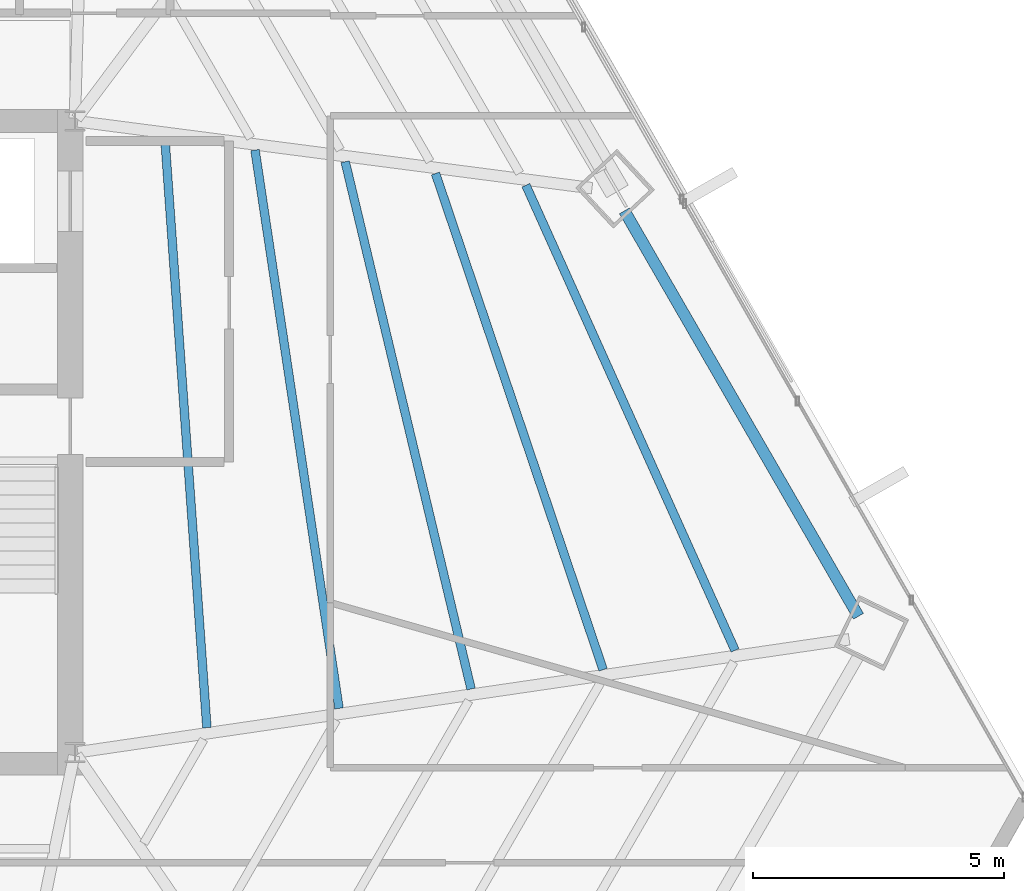
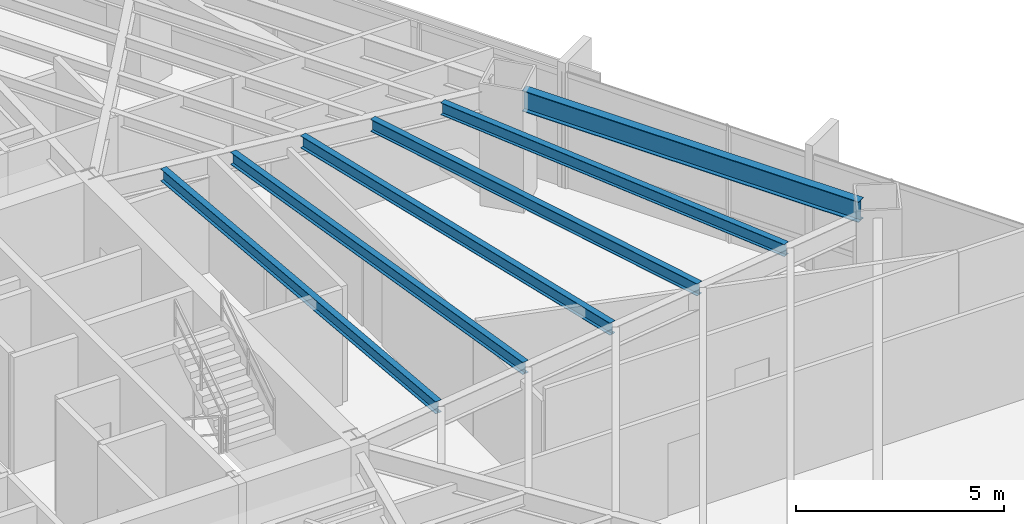
# One storey, part 20 of 36: 6 beams.
"""IFC4 building model written with IfcOpenShell, lengths in metres."""

from ifc_helpers import new_model, si_unit, direction, frame, origin, origin_2d, place, context, subcontext, project, spatial, i_section, extrude, source, transform, mapped, material, material_profile, profile_set, type_object, type_shapes, element, save


model = new_model("IFC4")

# Units and contexts
model_context = context("Model", 3, precision=1e-05, world=origin(), true_north=direction((0.0, 1.0)))
body_context = subcontext(model_context, "Body", "Model", "MODEL_VIEW")
ifc_project = project(units=[si_unit("LENGTHUNIT", "METRE"), si_unit("AREAUNIT", "SQUARE_METRE"), si_unit("VOLUMEUNIT", "CUBIC_METRE"), si_unit("PLANEANGLEUNIT", "RADIAN"), si_unit("MASSUNIT", "GRAM", prefix="KILO")], contexts=[model_context])

# Site, building, storey
site_placement = place(None, origin())
site = spatial("IfcSite", under=ifc_project, at=site_placement, CompositionType="ELEMENT")
building_placement = place(site_placement, origin())
building = spatial("IfcBuilding", under=site, at=building_placement, Name="Caelisora Broadcast Tower", CompositionType="ELEMENT")
storey_placement = place(building_placement, frame((0.0, 0.0, 79.85009765625)))
storey = spatial("IfcBuildingStorey", under=building, at=storey_placement, Name="L20", CompositionType="ELEMENT", Elevation=79.85009765625)

# Beams
ifc_material = material(Name="Steel Grade 350 (AS/NZS 3679.1)", Category="steel")
ifc_material_profile_1 = material_profile(ifc_material, i_section(OverallWidth=0.22900390625, OverallDepth=0.611572265625, WebThickness=0.011962890625, FlangeThickness=0.01953125, at=origin_2d()), Name="Steel Grade 350 (AS/NZS 3679.1)")
ifc_profile_set_1 = profile_set([ifc_material_profile_1], Name="Steel Grade 350 (AS/NZS 3679.1)")
beam_type_1 = type_object("IfcBeamType", Name="PG03", PredefinedType="BEAM", material=ifc_profile_set_1)
shared_shape_1 = source(origin(), body_context, "Body", "SweptSolid", [
    extrude(i_section(OverallWidth=0.22900390625, OverallDepth=0.611572265625, WebThickness=0.011962890625, FlangeThickness=0.01953125, at=origin_2d()), origin(), (0.0, 0.0, 1.0), 9.3369140625),
])
type_shapes(beam_type_1, [shared_shape_1])
beam_1_placement = place(storey_placement, frame((61.13134765625, 20.120849609375, 3.093994140625), z_axis=(-0.500003119808, 0.866023602555, 0.0), x_axis=(-0.866023602555, -0.500003119808, 0.0)))
element("IfcBeam", 1, at=beam_1_placement, inside=storey, type_object=beam_type_1, Name="L20 beam PG03", PredefinedType="BEAM", context=body_context, shape_type="MappedRepresentation", body=[
    mapped(shared_shape_1, transform((0.0, 0.0, 0.0), scale=1.0)),
])
ifc_material_profile_2 = material_profile(ifc_material, i_section(OverallWidth=0.172119140625, OverallDepth=0.358642578125, WebThickness=0.008056640625, FlangeThickness=0.012939453125, at=origin_2d()), Name="Steel Grade 350 (AS/NZS 3679.1)")
ifc_profile_set_2 = profile_set([ifc_material_profile_2], Name="Steel Grade 350 (AS/NZS 3679.1)")
beam_type_2 = type_object("IfcBeamType", Name="SB02", PredefinedType="JOIST", material=ifc_profile_set_2)
shared_shape_2 = source(origin(), body_context, "Body", "SweptSolid", [
    extrude(i_section(OverallWidth=0.172119140625, OverallDepth=0.358642578125, WebThickness=0.008056640625, FlangeThickness=0.012939453125, at=origin_2d()), origin(), (0.0, 0.0, 1.0), 11.7861328125),
])
beam_2_placement = place(storey_placement, frame((48.135498046875, 17.898193359375, 3.220703125), z_axis=(-0.071152837444, 0.997465424826, 0.0), x_axis=(-0.997465424826, -0.071152837444, 0.0)))
element("IfcBeam", 2, at=beam_2_placement, inside=storey, type_object=beam_type_2, Name="L20 beam SB02", PredefinedType="JOIST", context=body_context, shape_type="MappedRepresentation", body=[
    mapped(shared_shape_2, transform((0.0, 0.0, 0.0), scale=1.0)),
])
shared_shape_3 = source(origin(), body_context, "Body", "SweptSolid", [
    extrude(i_section(OverallWidth=0.172119140625, OverallDepth=0.358642578125, WebThickness=0.008056640625, FlangeThickness=0.012939453125, at=origin_2d()), origin(), (0.0, 0.0, 1.0), 11.261962890625),
])
beam_3_placement = place(storey_placement, frame((50.7705078125, 18.283935546875, 3.220703125), z_axis=(-0.148777181745, 0.988870744937, 0.0), x_axis=(-0.988870744937, -0.148777181745, 0.0)))
element("IfcBeam", 3, at=beam_3_placement, inside=storey, type_object=beam_type_2, Name="L20 beam SB02", PredefinedType="JOIST", context=body_context, shape_type="MappedRepresentation", body=[
    mapped(shared_shape_3, transform((0.0, 0.0, 0.0), scale=1.0)),
])
shared_shape_4 = source(origin(), body_context, "Body", "SweptSolid", [
    extrude(i_section(OverallWidth=0.172119140625, OverallDepth=0.358642578125, WebThickness=0.008056640625, FlangeThickness=0.012939453125, at=origin_2d()), origin(), (0.0, 0.0, 1.0), 10.812744140625),
])
beam_4_placement = place(storey_placement, frame((53.40478515625, 18.669677734375, 3.220703125), z_axis=(-0.232204540782, 0.97266697859, 0.0), x_axis=(-0.97266697859, -0.232204540782, 0.0)))
element("IfcBeam", 4, at=beam_4_placement, inside=storey, type_object=beam_type_2, Name="L20 beam SB02", PredefinedType="JOIST", context=body_context, shape_type="MappedRepresentation", body=[
    mapped(shared_shape_4, transform((0.0, 0.0, 0.0), scale=1.0)),
])
shared_shape_5 = source(origin(), body_context, "Body", "SweptSolid", [
    extrude(i_section(OverallWidth=0.172119140625, OverallDepth=0.358642578125, WebThickness=0.008056640625, FlangeThickness=0.012939453125, at=origin_2d()), origin(), (0.0, 0.0, 1.0), 10.44677734375),
])
beam_5_placement = place(storey_placement, frame((56.0380859375, 19.05517578125, 3.220703125), z_axis=(-0.320004171608, 0.947416133572, 0.0), x_axis=(-0.947416133572, -0.320004171608, 0.0)))
element("IfcBeam", 5, at=beam_5_placement, inside=storey, type_object=beam_type_2, Name="L20 beam SB02", PredefinedType="JOIST", context=body_context, shape_type="MappedRepresentation", body=[
    mapped(shared_shape_5, transform((0.0, 0.0, 0.0), scale=1.0)),
])
shared_shape_6 = source(origin(), body_context, "Body", "SweptSolid", [
    extrude(i_section(OverallWidth=0.172119140625, OverallDepth=0.358642578125, WebThickness=0.008056640625, FlangeThickness=0.012939453125, at=origin_2d()), origin(), (0.0, 0.0, 1.0), 10.172607421875),
])
type_shapes(beam_type_2, [shared_shape_2, shared_shape_3, shared_shape_4, shared_shape_5, shared_shape_6])
beam_6_placement = place(storey_placement, frame((58.67041015625, 19.440673828125, 3.220703125), z_axis=(-0.410176065132, 0.912006357211, 0.0), x_axis=(-0.912006357211, -0.410176065132, 0.0)))
element("IfcBeam", 6, at=beam_6_placement, inside=storey, type_object=beam_type_2, Name="L20 beam SB02", PredefinedType="JOIST", context=body_context, shape_type="MappedRepresentation", body=[
    mapped(shared_shape_6, transform((0.0, 0.0, 0.0), scale=1.0)),
])

save(model, "model.ifc")
